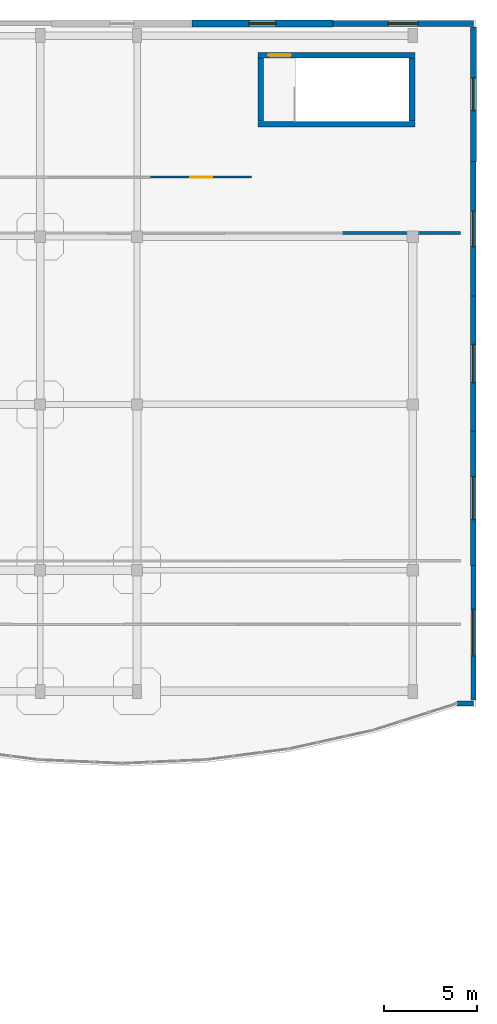
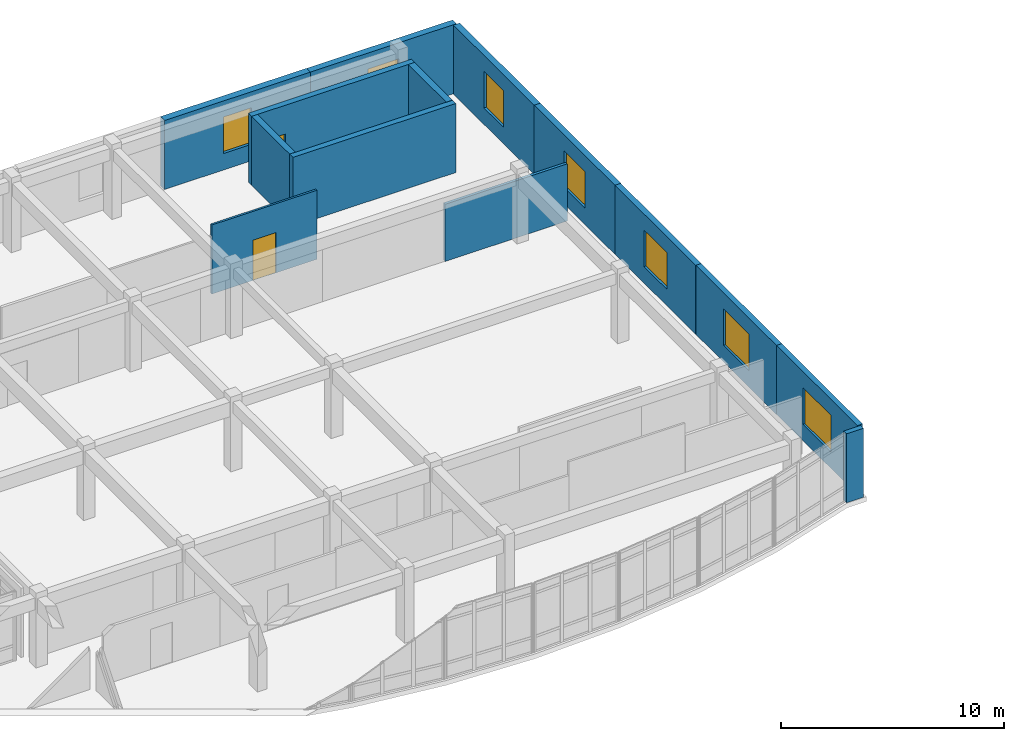
# One storey, part 83 of 91: 14 walls, 7 windows, 2 doors, 9 openings.
"""IFC4 building model written with IfcOpenShell, lengths in metres."""

from ifc_helpers import new_model, si_unit, direction, frame, frame_2d, origin, place, context, subcontext, project, spatial, rectangle, extrude, material, layer, layer_set, type_object, element, fill, save


model = new_model("IFC4")

# Units and contexts
model_context = context("Model", 3, precision=1e-05, world=origin(), true_north=direction((0.0, 1.0)))
body_context = subcontext(model_context, "Body", "Model", "MODEL_VIEW")
ifc_project = project(units=[si_unit("LENGTHUNIT", "METRE"), si_unit("AREAUNIT", "SQUARE_METRE"), si_unit("VOLUMEUNIT", "CUBIC_METRE"), si_unit("PLANEANGLEUNIT", "RADIAN"), si_unit("MASSUNIT", "GRAM", prefix="KILO")], contexts=[model_context])

# Site, building, storey
site_placement = place(None, origin())
site = spatial("IfcSite", under=ifc_project, at=site_placement, CompositionType="ELEMENT")
building_placement = place(site_placement, origin())
building = spatial("IfcBuilding", under=site, at=building_placement, Name="Valcora Specialist Clinic", CompositionType="ELEMENT")
storey_placement = place(building_placement, frame((0.0, 0.0, 13.60009765625)))
storey = spatial("IfcBuildingStorey", under=building, at=storey_placement, Name="L03", CompositionType="ELEMENT", Elevation=13.60009765625)

# Wall
ifc_material_1 = material(Name="Concrete C40/50", Category="concrete")
ifc_layer_1 = layer(ifc_material_1, 0.300048828125)
ifc_layer_set_1 = layer_set([ifc_layer_1], Name="Concrete C40/50")
wall_type_1 = type_object("IfcWallType", Name="TY-WL-CR300", PredefinedType="SHEAR", material=ifc_layer_set_1)
wall_1_placement = place(storey_placement, frame((117.699951171875, 105.25, 0.0), z_axis=(0.0, 0.0, 1.0), x_axis=(1.0, 0.0, 0.0)))
element("IfcWall", 1, at=wall_1_placement, inside=storey, type_object=wall_type_1, Name="Core shear wall WL-CR-C-V4C-L03-S", PredefinedType="SHEAR", context=body_context, shape_type="SweptSolid", body=[
    extrude(rectangle(XDim=8.420166015625, YDim=0.300048828125, at=frame_2d((4.2099609375, 0.0))), origin(), (0.0, 0.0, 1.0), 3.77490234375),
])

# Wall, opening, door
wall_2_placement = place(storey_placement, frame((117.699951171875, 108.949951171875, 0.0), z_axis=(0.0, 0.0, 1.0), x_axis=(1.0, 0.0, 0.0)))
wall_2 = element("IfcWall", 2, at=wall_2_placement, inside=storey, type_object=wall_type_1, Name="Core shear wall WL-CR-C-V4C-L03-N", PredefinedType="SHEAR", context=body_context, shape_type="SweptSolid", body=[
    extrude(rectangle(XDim=8.420166015625, YDim=0.300048828125, at=frame_2d((4.2099609375, 0.0))), origin(), (0.0, 0.0, 1.0), 3.77490234375),
])
opening_1_placement = place(wall_2_placement, frame((0.550048828125, 0.0, 0.0)))
opening_1 = element("IfcOpeningElement", 3, at=opening_1_placement, cuts=wall_2, Name="Opening DR-FD-120", PredefinedType="OPENING", context=body_context, shape_type="SweptSolid", body=[
    extrude(rectangle(XDim=1.199951171875, YDim=2.199951171875, at=frame_2d((0.60009765625, 1.10009765625))), frame((0.0, 0.159912109375, 0.0), z_axis=(0.0, -1.0, 0.0), x_axis=(1.0, 0.0, 0.0)), (0.0, 0.0, 1.0), 0.320068359375),
])
ifc_material_2 = material(Name="Galvanized Hollow Metal Door Steel ASTM A653", Category="steel")
door_type_1 = type_object("IfcDoorType", Name="TY-DR-ST120", OperationType="NOTDEFINED", PredefinedType="DOOR", material=ifc_material_2)
door_1_placement = place(opening_1_placement, origin())
door_1 = element("IfcDoor", 4, at=door_1_placement, inside=storey, type_object=door_type_1, Name="Exit stair fire door C-V4C L03", OperationType="SINGLE_SWING_LEFT", OverallHeight=2.199951171875, OverallWidth=1.199951171875, PredefinedType="DOOR", context=body_context, shape_type="SweptSolid", body=[
    extrude(rectangle(XDim=1.199951171875, YDim=2.199951171875, at=frame_2d((0.60009765625, 1.10009765625))), frame((0.0, 0.02490234375, 0.0), z_axis=(0.0, -1.0, 0.0), x_axis=(1.0, 0.0, 0.0)), (0.0, 0.0, 1.0), 0.050048828125),
])
fill(opening_1, door_1)

# Walls
wall_3_placement = place(storey_placement, frame((117.85009765625, 105.402099609375, 0.0), z_axis=(0.0, 0.0, 1.0), x_axis=(0.0, 1.0, 0.0)))
element("IfcWall", 5, at=wall_3_placement, inside=storey, type_object=wall_type_1, Name="Core shear wall WL-CR-C-V4C-L03-W", PredefinedType="SHEAR", context=body_context, shape_type="SweptSolid", body=[
    extrude(rectangle(XDim=3.39599609375, YDim=0.300048828125, at=frame_2d((1.697998046875, 0.0))), origin(), (0.0, 0.0, 1.0), 3.77490234375),
])
ifc_layer_2 = layer(ifc_material_1, 0.320068359375)
ifc_layer_set_2 = layer_set([ifc_layer_2], Name="Concrete C40/50")
wall_type_2 = type_object("IfcWallType", Name="TY-WL-CR320", PredefinedType="SHEAR", material=ifc_layer_set_2)
wall_4_placement = place(storey_placement, frame((125.9599609375, 105.402099609375, 0.0), z_axis=(0.0, 0.0, 1.0), x_axis=(0.0, 1.0, 0.0)))
element("IfcWall", 6, at=wall_4_placement, inside=storey, type_object=wall_type_2, Name="Core shear wall WL-CR-C-V4C-L03-E", PredefinedType="SHEAR", context=body_context, shape_type="SweptSolid", body=[
    extrude(rectangle(XDim=3.39599609375, YDim=0.320068359375, at=frame_2d((1.697998046875, 0.0))), origin(), (0.0, 0.0, 1.0), 3.77490234375),
])
ifc_material_3 = material(Name="Extruded Jalisco Clay Brick Masonry", Category="masonry")
ifc_layer_3 = layer(ifc_material_3, 0.25)
ifc_layer_set_3 = layer_set([ifc_layer_3], Name="Extruded Jalisco Clay Brick Masonry")
wall_type_3 = type_object("IfcWallType", Name="TY-WL-EW250", PredefinedType="SOLIDWALL", material=ifc_layer_set_3)
wall_5_placement = place(storey_placement, frame((129.25, 74.14990234375, 0.0), z_axis=(0.0, 0.0, 1.0), x_axis=(-1.0, 0.0, 0.0)))
element("IfcWall", 7, at=wall_5_placement, inside=storey, type_object=wall_type_3, Name="Exterior wall WL-EXT-L03-0219", PredefinedType="SOLIDWALL", context=body_context, shape_type="SweptSolid", body=[
    extrude(rectangle(XDim=0.873291015625, YDim=0.25, at=frame_2d((0.4365234375, 0.0))), origin(), (0.0, 0.0, 1.0), 3.77490234375),
])

# Wall, opening, window
ifc_layer_4 = layer(ifc_material_3, 0.264892578125)
ifc_layer_set_4 = layer_set([ifc_layer_4], Name="Extruded Jalisco Clay Brick Masonry")
wall_type_4 = type_object("IfcWallType", Name="TY-WL-EW265", PredefinedType="SOLIDWALL", material=ifc_layer_set_4)
wall_6_placement = place(storey_placement, frame((129.25, 81.56396484375, 0.0), z_axis=(0.0, 0.0, 1.0), x_axis=(0.0, -1.0, 0.0)))
wall_6 = element("IfcWall", 8, at=wall_6_placement, inside=storey, type_object=wall_type_4, Name="Exterior wall WL-EXT-L03-0218", PredefinedType="SOLIDWALL", context=body_context, shape_type="SweptSolid", body=[
    extrude(rectangle(XDim=7.223876953125, YDim=0.264892578125, at=frame_2d((3.61181640625, 0.0))), origin(), (0.0, 0.0, 1.0), 3.77490234375),
])
opening_2_placement = place(wall_6_placement, frame((2.362060546875, 0.0, 0.89990234375)))
opening_2 = element("IfcOpeningElement", 9, at=opening_2_placement, cuts=wall_6, Name="Opening WN-29", PredefinedType="OPENING", context=body_context, shape_type="SweptSolid", body=[
    extrude(rectangle(XDim=2.5, YDim=2.0, at=frame_2d((1.25, 1.0))), frame((0.0, 0.142333984375, 0.0), z_axis=(0.0, -1.0, 0.0), x_axis=(1.0, 0.0, 0.0)), (0.0, 0.0, 1.0), 0.284912109375),
])
ifc_material_4 = material(Name="Low-E Laminated Insulating Glass", Category="glass")
window_type_1 = type_object("IfcWindowType", Name="TY-WN-29", PartitioningType="SINGLE_PANEL", PredefinedType="WINDOW", material=ifc_material_4)
window_1_placement = place(opening_2_placement, origin())
window_1 = element("IfcWindow", 10, at=window_1_placement, inside=storey, type_object=window_type_1, Name="Facade window WN-L03-0197", OverallHeight=2.0, OverallWidth=2.5, PartitioningType="SINGLE_PANEL", PredefinedType="WINDOW", context=body_context, shape_type="SweptSolid", body=[
    extrude(rectangle(XDim=2.5, YDim=2.0, at=frame_2d((1.25, 1.0))), frame((0.0, 0.030029296875, 0.0), z_axis=(0.0, -1.0, 0.0), x_axis=(1.0, 0.0, 0.0)), (0.0, 0.0, 1.0), 0.06005859375),
])
fill(opening_2, window_1)

ifc_layer_5 = layer(ifc_material_3, 0.280029296875)
ifc_layer_set_5 = layer_set([ifc_layer_5], Name="Extruded Jalisco Clay Brick Masonry")
wall_type_5 = type_object("IfcWallType", Name="TY-WL-EW280", PredefinedType="SOLIDWALL", material=ifc_layer_set_5)
wall_7_placement = place(storey_placement, frame((129.25, 88.7880859375, 0.0), z_axis=(0.0, 0.0, 1.0), x_axis=(0.0, -1.0, 0.0)))
wall_7 = element("IfcWall", 11, at=wall_7_placement, inside=storey, type_object=wall_type_5, Name="Exterior wall WL-EXT-L03-0217", PredefinedType="SOLIDWALL", context=body_context, shape_type="SweptSolid", body=[
    extrude(rectangle(XDim=7.22412109375, YDim=0.280029296875, at=frame_2d((3.612060546875, 0.0))), origin(), (0.0, 0.0, 1.0), 3.77490234375),
])
opening_3_placement = place(wall_7_placement, frame((2.4619140625, 0.0, 0.89990234375)))
opening_3 = element("IfcOpeningElement", 12, at=opening_3_placement, cuts=wall_7, Name="Opening WN-28", PredefinedType="OPENING", context=body_context, shape_type="SweptSolid", body=[
    extrude(rectangle(XDim=2.300048828125, YDim=2.0, at=frame_2d((1.14990234375, 1.0))), frame((0.0, 0.14990234375, 0.0), z_axis=(0.0, -1.0, 0.0), x_axis=(1.0, 0.0, 0.0)), (0.0, 0.0, 1.0), 0.300048828125),
])
window_type_2 = type_object("IfcWindowType", Name="TY-WN-28", PartitioningType="SINGLE_PANEL", PredefinedType="WINDOW", material=ifc_material_4)
window_2_placement = place(opening_3_placement, origin())
window_2 = element("IfcWindow", 13, at=window_2_placement, inside=storey, type_object=window_type_2, Name="Facade window WN-L03-0196", OverallHeight=2.0, OverallWidth=2.300048828125, PartitioningType="SINGLE_PANEL", PredefinedType="WINDOW", context=body_context, shape_type="SweptSolid", body=[
    extrude(rectangle(XDim=2.300048828125, YDim=2.0, at=frame_2d((1.14990234375, 1.0))), frame((0.0, 0.030029296875, 0.0), z_axis=(0.0, -1.0, 0.0), x_axis=(1.0, 0.0, 0.0)), (0.0, 0.0, 1.0), 0.06005859375),
])
fill(opening_3, window_2)

ifc_layer_6 = layer(ifc_material_3, 0.294921875)
ifc_layer_set_6 = layer_set([ifc_layer_6], Name="Extruded Jalisco Clay Brick Masonry")
wall_type_6 = type_object("IfcWallType", Name="TY-WL-EW295", PredefinedType="SOLIDWALL", material=ifc_layer_set_6)
wall_8_placement = place(storey_placement, frame((129.25, 96.011962890625, 0.0), z_axis=(0.0, 0.0, 1.0), x_axis=(0.0, -1.0, 0.0)))
wall_8 = element("IfcWall", 14, at=wall_8_placement, inside=storey, type_object=wall_type_6, Name="Exterior wall WL-EXT-L03-0216", PredefinedType="SOLIDWALL", context=body_context, shape_type="SweptSolid", body=[
    extrude(rectangle(XDim=7.223876953125, YDim=0.294921875, at=frame_2d((3.61181640625, 0.0))), origin(), (0.0, 0.0, 1.0), 3.77490234375),
])
opening_4_placement = place(wall_8_placement, frame((2.5869140625, 0.0, 0.89990234375)))
opening_4 = element("IfcOpeningElement", 15, at=opening_4_placement, cuts=wall_8, Name="Opening WN-27", PredefinedType="OPENING", context=body_context, shape_type="SweptSolid", body=[
    extrude(rectangle(XDim=2.050048828125, YDim=2.0, at=frame_2d((1.02490234375, 1.0))), frame((0.0, 0.157470703125, 0.0), z_axis=(0.0, -1.0, 0.0), x_axis=(1.0, 0.0, 0.0)), (0.0, 0.0, 1.0), 0.31494140625),
])
window_type_3 = type_object("IfcWindowType", Name="TY-WN-27", PartitioningType="SINGLE_PANEL", PredefinedType="WINDOW", material=ifc_material_4)
window_3_placement = place(opening_4_placement, origin())
window_3 = element("IfcWindow", 16, at=window_3_placement, inside=storey, type_object=window_type_3, Name="Facade window WN-L03-0195", OverallHeight=2.0, OverallWidth=2.050048828125, PartitioningType="SINGLE_PANEL", PredefinedType="WINDOW", context=body_context, shape_type="SweptSolid", body=[
    extrude(rectangle(XDim=2.050048828125, YDim=2.0, at=frame_2d((1.02490234375, 1.0))), frame((0.0, 0.030029296875, 0.0), z_axis=(0.0, -1.0, 0.0), x_axis=(1.0, 0.0, 0.0)), (0.0, 0.0, 1.0), 0.06005859375),
])
fill(opening_4, window_3)

ifc_layer_7 = layer(ifc_material_3, 0.31005859375)
ifc_layer_set_7 = layer_set([ifc_layer_7], Name="Extruded Jalisco Clay Brick Masonry")
wall_type_7 = type_object("IfcWallType", Name="TY-WL-EW310", PredefinedType="SOLIDWALL", material=ifc_layer_set_7)
wall_9_placement = place(storey_placement, frame((129.25, 103.236083984375, 0.0), z_axis=(0.0, 0.0, 1.0), x_axis=(0.0, -1.0, 0.0)))
wall_9 = element("IfcWall", 17, at=wall_9_placement, inside=storey, type_object=wall_type_7, Name="Exterior wall WL-EXT-L03-0215", PredefinedType="SOLIDWALL", context=body_context, shape_type="SweptSolid", body=[
    extrude(rectangle(XDim=7.22412109375, YDim=0.31005859375, at=frame_2d((3.612060546875, 0.0))), origin(), (0.0, 0.0, 1.0), 3.77490234375),
])
opening_5_placement = place(wall_9_placement, frame((2.662109375, 0.0, 0.89990234375)))
opening_5 = element("IfcOpeningElement", 18, at=opening_5_placement, cuts=wall_9, Name="Opening WN-26", PredefinedType="OPENING", context=body_context, shape_type="SweptSolid", body=[
    extrude(rectangle(XDim=1.89990234375, YDim=2.0, at=frame_2d((0.949951171875, 1.0))), frame((0.0, 0.1650390625, 0.0), z_axis=(0.0, -1.0, 0.0), x_axis=(1.0, 0.0, 0.0)), (0.0, 0.0, 1.0), 0.330078125),
])
window_type_4 = type_object("IfcWindowType", Name="TY-WN-26", PartitioningType="SINGLE_PANEL", PredefinedType="WINDOW", material=ifc_material_4)
window_4_placement = place(opening_5_placement, origin())
window_4 = element("IfcWindow", 19, at=window_4_placement, inside=storey, type_object=window_type_4, Name="Facade window WN-L03-0194", OverallHeight=2.0, OverallWidth=1.89990234375, PartitioningType="SINGLE_PANEL", PredefinedType="WINDOW", context=body_context, shape_type="SweptSolid", body=[
    extrude(rectangle(XDim=1.89990234375, YDim=2.0, at=frame_2d((0.949951171875, 1.0))), frame((0.0, 0.030029296875, 0.0), z_axis=(0.0, -1.0, 0.0), x_axis=(1.0, 0.0, 0.0)), (0.0, 0.0, 1.0), 0.06005859375),
])
fill(opening_5, window_4)

ifc_layer_8 = layer(ifc_material_3, 0.324951171875)
ifc_layer_set_8 = layer_set([ifc_layer_8], Name="Extruded Jalisco Clay Brick Masonry")
wall_type_8 = type_object("IfcWallType", Name="TY-WL-EW325", PredefinedType="SOLIDWALL", material=ifc_layer_set_8)
wall_10_placement = place(storey_placement, frame((129.25, 110.4599609375, 0.0), z_axis=(0.0, 0.0, 1.0), x_axis=(0.0, -1.0, 0.0)))
wall_10 = element("IfcWall", 20, at=wall_10_placement, inside=storey, type_object=wall_type_8, Name="Exterior wall WL-EXT-L03-0214", PredefinedType="SOLIDWALL", context=body_context, shape_type="SweptSolid", body=[
    extrude(rectangle(XDim=7.223876953125, YDim=0.324951171875, at=frame_2d((3.61181640625, 0.0))), origin(), (0.0, 0.0, 1.0), 3.77490234375),
])
opening_6_placement = place(wall_10_placement, frame((2.737060546875, 0.0, 0.89990234375)))
opening_6 = element("IfcOpeningElement", 21, at=opening_6_placement, cuts=wall_10, Name="Opening WN-25", PredefinedType="OPENING", context=body_context, shape_type="SweptSolid", body=[
    extrude(rectangle(XDim=1.75, YDim=2.0, at=frame_2d((0.875, 1.0))), frame((0.0, 0.17236328125, 0.0), z_axis=(0.0, -1.0, 0.0), x_axis=(1.0, 0.0, 0.0)), (0.0, 0.0, 1.0), 0.344970703125),
])
window_type_5 = type_object("IfcWindowType", Name="TY-WN-25", PartitioningType="SINGLE_PANEL", PredefinedType="WINDOW", material=ifc_material_4)
window_5_placement = place(opening_6_placement, origin())
window_5 = element("IfcWindow", 22, at=window_5_placement, inside=storey, type_object=window_type_5, Name="Facade window WN-L03-0193", OverallHeight=2.0, OverallWidth=1.75, PartitioningType="SINGLE_PANEL", PredefinedType="WINDOW", context=body_context, shape_type="SweptSolid", body=[
    extrude(rectangle(XDim=1.75, YDim=2.0, at=frame_2d((0.875, 1.0))), frame((0.0, 0.030029296875, 0.0), z_axis=(0.0, -1.0, 0.0), x_axis=(1.0, 0.0, 0.0)), (0.0, 0.0, 1.0), 0.06005859375),
])
fill(opening_6, window_5)

ifc_layer_9 = layer(ifc_material_3, 0.340087890625)
ifc_layer_set_9 = layer_set([ifc_layer_9], Name="Extruded Jalisco Clay Brick Masonry")
wall_type_9 = type_object("IfcWallType", Name="TY-WL-EW340", PredefinedType="SOLIDWALL", material=ifc_layer_set_9)
wall_11_placement = place(storey_placement, frame((121.70556640625, 110.64990234375, 0.0), z_axis=(0.0, 0.0, 1.0), x_axis=(1.0, 0.0, 0.0)))
wall_11 = element("IfcWall", 23, at=wall_11_placement, inside=storey, type_object=wall_type_9, Name="Exterior wall WL-EXT-L03-0213", PredefinedType="SOLIDWALL", context=body_context, shape_type="SweptSolid", body=[
    extrude(rectangle(XDim=7.54443359375, YDim=0.340087890625, at=frame_2d((3.772216796875, 0.0))), origin(), (0.0, 0.0, 1.0), 3.77490234375),
])
opening_7_placement = place(wall_11_placement, frame((2.971923828125, 0.0, 0.89990234375)))
opening_7 = element("IfcOpeningElement", 24, at=opening_7_placement, cuts=wall_11, Name="Opening WN-24", PredefinedType="OPENING", context=body_context, shape_type="SweptSolid", body=[
    extrude(rectangle(XDim=1.60009765625, YDim=2.0, at=frame_2d((0.800048828125, 1.0))), frame((0.0, 0.179931640625, 0.0), z_axis=(0.0, -1.0, 0.0), x_axis=(1.0, 0.0, 0.0)), (0.0, 0.0, 1.0), 0.360107421875),
])
window_type_6 = type_object("IfcWindowType", Name="TY-WN-24", PartitioningType="SINGLE_PANEL", PredefinedType="WINDOW", material=ifc_material_4)
window_6_placement = place(opening_7_placement, origin())
window_6 = element("IfcWindow", 25, at=window_6_placement, inside=storey, type_object=window_type_6, Name="Facade window WN-L03-0192", OverallHeight=2.0, OverallWidth=1.60009765625, PartitioningType="SINGLE_PANEL", PredefinedType="WINDOW", context=body_context, shape_type="SweptSolid", body=[
    extrude(rectangle(XDim=1.60009765625, YDim=2.0, at=frame_2d((0.800048828125, 1.0))), frame((0.0, 0.030029296875, 0.0), z_axis=(0.0, -1.0, 0.0), x_axis=(1.0, 0.0, 0.0)), (0.0, 0.0, 1.0), 0.06005859375),
])
fill(opening_7, window_6)

ifc_layer_10 = layer(ifc_material_3, 0.35498046875)
ifc_layer_set_10 = layer_set([ifc_layer_10], Name="Extruded Jalisco Clay Brick Masonry")
wall_type_10 = type_object("IfcWallType", Name="TY-WL-EW355", PredefinedType="SOLIDWALL", material=ifc_layer_set_10)
wall_12_placement = place(storey_placement, frame((114.1611328125, 110.64990234375, 0.0), z_axis=(0.0, 0.0, 1.0), x_axis=(1.0, 0.0, 0.0)))
wall_12 = element("IfcWall", 26, at=wall_12_placement, inside=storey, type_object=wall_type_10, Name="Exterior wall WL-EXT-L03-0212", PredefinedType="SOLIDWALL", context=body_context, shape_type="SweptSolid", body=[
    extrude(rectangle(XDim=7.54443359375, YDim=0.35498046875, at=frame_2d((3.772216796875, 0.0))), origin(), (0.0, 0.0, 1.0), 3.77490234375),
])
opening_8_placement = place(wall_12_placement, frame((3.047119140625, 0.0, 0.89990234375)))
opening_8 = element("IfcOpeningElement", 27, at=opening_8_placement, cuts=wall_12, Name="Opening WN-23", PredefinedType="OPENING", context=body_context, shape_type="SweptSolid", body=[
    extrude(rectangle(XDim=1.449951171875, YDim=2.0, at=frame_2d((0.72509765625, 1.0))), frame((0.0, 0.1875, 0.0), z_axis=(0.0, -1.0, 0.0), x_axis=(1.0, 0.0, 0.0)), (0.0, 0.0, 1.0), 0.375),
])
window_type_7 = type_object("IfcWindowType", Name="TY-WN-23", PartitioningType="SINGLE_PANEL", PredefinedType="WINDOW", material=ifc_material_4)
window_7_placement = place(opening_8_placement, origin())
window_7 = element("IfcWindow", 28, at=window_7_placement, inside=storey, type_object=window_type_7, Name="Facade window WN-L03-0191", OverallHeight=2.0, OverallWidth=1.449951171875, PartitioningType="SINGLE_PANEL", PredefinedType="WINDOW", context=body_context, shape_type="SweptSolid", body=[
    extrude(rectangle(XDim=1.449951171875, YDim=2.0, at=frame_2d((0.72509765625, 1.0))), frame((0.0, 0.030029296875, 0.0), z_axis=(0.0, -1.0, 0.0), x_axis=(1.0, 0.0, 0.0)), (0.0, 0.0, 1.0), 0.06005859375),
])
fill(opening_8, window_7)

# Wall, opening, door
ifc_material_5 = material(Name="Gypsum Board Partition Assembly")
ifc_layer_11 = layer(ifc_material_5, 0.10498046875)
ifc_layer_set_11 = layer_set([ifc_layer_11], Name="Gypsum Board Partition Assembly")
wall_type_11 = type_object("IfcWallType", Name="TY-WL-PT105", PredefinedType="PARTITIONING", material=ifc_layer_set_11)
wall_13_placement = place(storey_placement, frame((117.35009765625, 102.39990234375, 0.0), z_axis=(0.0, 0.0, 1.0), x_axis=(-1.0, 0.0, 0.0)))
wall_13 = element("IfcWall", 29, at=wall_13_placement, inside=storey, type_object=wall_type_11, Name="Interior partition WL-INT-L03-0412", PredefinedType="PARTITIONING", context=body_context, shape_type="SweptSolid", body=[
    extrude(rectangle(XDim=5.43310546875, YDim=0.10498046875, at=frame_2d((2.716552734375, 0.0))), origin(), (0.0, 0.0, 1.0), 3.77490234375),
])
opening_9_placement = place(wall_13_placement, frame((2.1259765625, 0.0, 0.0)))
opening_9 = element("IfcOpeningElement", 30, at=opening_9_placement, cuts=wall_13, Name="Opening DR-CN-118", PredefinedType="OPENING", context=body_context, shape_type="SweptSolid", body=[
    extrude(rectangle(XDim=1.179931640625, YDim=2.199951171875, at=frame_2d((0.58984375, 1.10009765625))), frame((0.0, 0.0625, 0.0), z_axis=(0.0, -1.0, 0.0), x_axis=(1.0, 0.0, 0.0)), (0.0, 0.0, 1.0), 0.125),
])
ifc_material_6 = material(Name="Glulam Conifer Class 24F", Category="wood")
door_type_2 = type_object("IfcDoorType", Name="TY-DR-CN118", OperationType="NOTDEFINED", PredefinedType="DOOR", material=ifc_material_6)
door_2_placement = place(opening_9_placement, origin())
door_2 = element("IfcDoor", 31, at=door_2_placement, inside=storey, type_object=door_type_2, Name="Interior door DR-INT-L03-0114", OperationType="SINGLE_SWING_RIGHT", OverallHeight=2.199951171875, OverallWidth=1.179931640625, PredefinedType="DOOR", context=body_context, shape_type="SweptSolid", body=[
    extrude(rectangle(XDim=1.179931640625, YDim=2.199951171875, at=frame_2d((0.58984375, 1.10009765625))), frame((0.0, 0.02490234375, 0.0), z_axis=(0.0, -1.0, 0.0), x_axis=(1.0, 0.0, 0.0)), (0.0, 0.0, 1.0), 0.050048828125),
])
fill(opening_9, door_2)

# Wall
ifc_layer_12 = layer(ifc_material_5, 0.14501953125)
ifc_layer_set_12 = layer_set([ifc_layer_12], Name="Gypsum Board Partition Assembly")
wall_type_12 = type_object("IfcWallType", Name="TY-WL-PT145", PredefinedType="PARTITIONING", material=ifc_layer_set_12)
wall_14_placement = place(storey_placement, frame((122.23291015625, 99.39990234375, 0.0), z_axis=(0.0, 0.0, 1.0), x_axis=(1.0, 0.0, 0.0)))
element("IfcWall", 32, at=wall_14_placement, inside=storey, type_object=wall_type_12, Name="Interior partition WL-INT-L03-0396", PredefinedType="PARTITIONING", context=body_context, shape_type="SweptSolid", body=[
    extrude(rectangle(XDim=6.317138671875, YDim=0.14501953125, at=frame_2d((3.15869140625, 0.0))), origin(), (0.0, 0.0, 1.0), 3.125),
])

save(model, "model.ifc")
